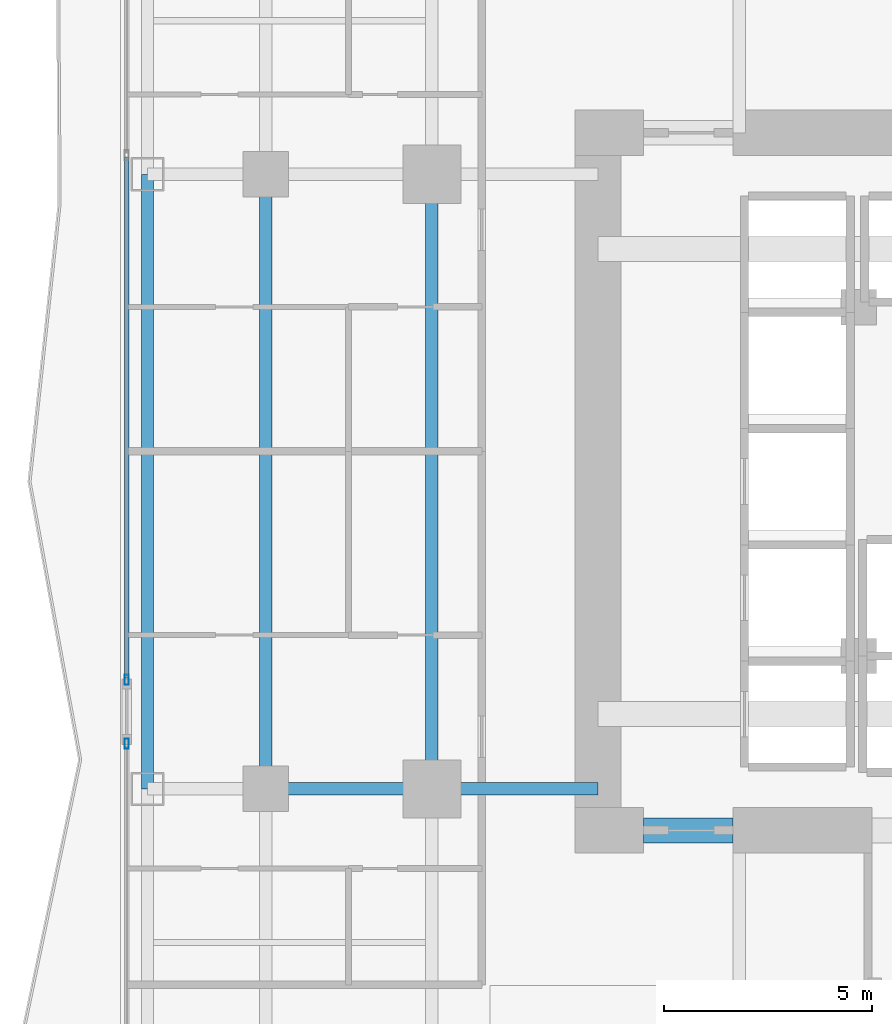
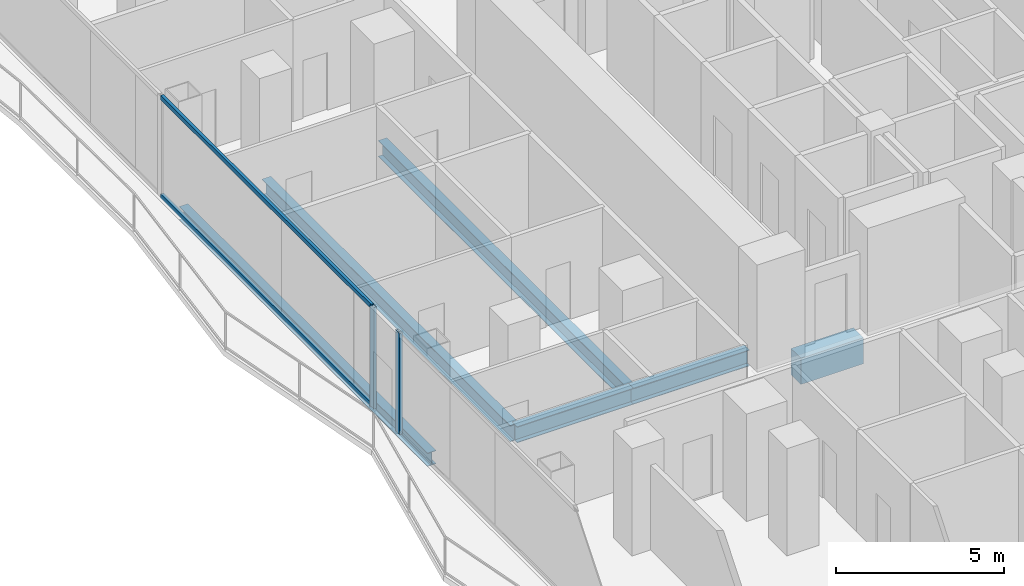
# One storey, part 6 of 28: 6 beams, 4 members, 2 elements without a shape of their own.
"""IFC4 building model written with IfcOpenShell, lengths in metres."""

from ifc_helpers import new_model, si_unit, direction, frame, origin, origin_2d, place, context, subcontext, project, spatial, rectangle, hollow_rectangle, i_section, extrude, material, layer, layer_set, material_profile, profile_set, type_object, element, aggregate, save


model = new_model("IFC4")

# Units and contexts
model_context = context("Model", 3, precision=1e-05, world=origin(), true_north=direction((0.0, 1.0)))
body_context = subcontext(model_context, "Body", "Model", "MODEL_VIEW")
ifc_project = project(units=[si_unit("LENGTHUNIT", "METRE"), si_unit("AREAUNIT", "SQUARE_METRE"), si_unit("VOLUMEUNIT", "CUBIC_METRE"), si_unit("PLANEANGLEUNIT", "RADIAN"), si_unit("MASSUNIT", "GRAM", prefix="KILO")], contexts=[model_context])

# Site, building, storey
site_placement = place(None, origin())
site = spatial("IfcSite", under=ifc_project, at=site_placement, CompositionType="ELEMENT")
building_placement = place(site_placement, origin())
building = spatial("IfcBuilding", under=site, at=building_placement, Name="Khorvyn Point Tower", CompositionType="ELEMENT")
storey_placement = place(building_placement, frame((0.0, 0.0, 34.5)))
storey = spatial("IfcBuildingStorey", under=building, at=storey_placement, Name="L09", CompositionType="ELEMENT", Elevation=34.5)

# Curtain wall, member
ifc_material_1 = material(Name="Anodised aluminium 6063-T6 and laminated Low-E glass", Category="aluminium")
ifc_layer = layer(ifc_material_1, 0.18994140625)
ifc_layer_set = layer_set([ifc_layer], Name="Stick-Built Finned Residential Curtain Wall CW-SYS-02")
curtain_wall_type = type_object("IfcCurtainWallType", Name="Stick-Built Finned Residential Curtain Wall CW-SYS-02", PredefinedType="NOTDEFINED", material=ifc_layer_set)
curtain_wall_1_placement = place(storey_placement, origin())
curtain_wall_1 = element("IfcCurtainWall", 1, at=curtain_wall_1_placement, inside=storey, type_object=curtain_wall_type, Name="Curtain Wall", PredefinedType="NOTDEFINED")
ifc_material_2 = material(Name="Anodised aluminium 6063-T6", Category="aluminium")
ifc_material_profile_1 = material_profile(ifc_material_2, hollow_rectangle(XDim=0.10009765625, YDim=0.239990234375, WallThickness=0.0048828125, at=origin_2d()))
ifc_profile_set_1 = profile_set([ifc_material_profile_1], Name="Anodised aluminium 6063-T6 ALU-MUL-100x240")
member_type_1 = type_object("IfcMemberType", Name="Anodised Aluminium 6063-T6 Mullion ALU-MUL-100x240", PredefinedType="MULLION", material=ifc_profile_set_1)
member_1_placement = place(storey_placement, frame((-22.14990234375, -6.31396484375, 0.0), z_axis=(0.0, 0.0, 1.0), x_axis=(-1.0, 0.0, 0.0)))
member_1 = element("IfcMember", 2, at=member_1_placement, type_object=member_type_1, Name="Transom", PredefinedType="MULLION", context=body_context, shape_type="SweptSolid", body=[
    extrude(hollow_rectangle(XDim=0.10009765625, YDim=0.239990234375, WallThickness=0.0048828125, at=origin_2d()), origin(), (0.0, 0.0, 1.0), 3.679931640625),
])
aggregate(curtain_wall_1, [member_1])

# Curtain wall, members
curtain_wall_2_placement = place(storey_placement, origin())
curtain_wall_2 = element("IfcCurtainWall", 3, at=curtain_wall_2_placement, inside=storey, type_object=curtain_wall_type, Name="Curtain Wall", PredefinedType="NOTDEFINED")
member_2_placement = place(storey_placement, frame((-22.14990234375, -4.77392578125, 0.0), z_axis=(0.0, 0.0, 1.0), x_axis=(-1.0, 0.0, 0.0)))
member_2 = element("IfcMember", 4, at=member_2_placement, type_object=member_type_1, Name="Transom", PredefinedType="MULLION", context=body_context, shape_type="SweptSolid", body=[
    extrude(hollow_rectangle(XDim=0.10009765625, YDim=0.239990234375, WallThickness=0.0048828125, at=origin_2d()), origin(), (0.0, 0.0, 1.0), 3.679931640625),
])
ifc_material_profile_2 = material_profile(ifc_material_2, hollow_rectangle(XDim=0.10009765625, YDim=0.159912109375, WallThickness=0.00439453125, at=origin_2d()))
ifc_profile_set_2 = profile_set([ifc_material_profile_2], Name="Anodised aluminium 6063-T6 ALU-TRN-100x160")
member_type_2 = type_object("IfcMemberType", Name="Anodised Aluminium 6063-T6 Transom ALU-TRN-100x160", PredefinedType="USERDEFINED", material=ifc_profile_set_2)
member_3_placement = place(storey_placement, frame((-22.14990234375, -4.72412109375, 0.050048828125), z_axis=(0.0, 1.0, 0.0), x_axis=(-1.0, 0.0, 0.0)))
member_3 = element("IfcMember", 5, at=member_3_placement, type_object=member_type_2, Name="Transom", ObjectType="TRANSOM", PredefinedType="USERDEFINED", context=body_context, shape_type="SweptSolid", body=[
    extrude(hollow_rectangle(XDim=0.10009765625, YDim=0.159912109375, WallThickness=0.00439453125, at=origin_2d()), origin(), (0.0, 0.0, 1.0), 12.537109375),
])
member_4_placement = place(storey_placement, frame((-22.14990234375, -4.72412109375, 3.6298828125), z_axis=(0.0, 1.0, 0.0), x_axis=(-1.0, 0.0, 0.0)))
member_4 = element("IfcMember", 6, at=member_4_placement, type_object=member_type_2, Name="Transom", ObjectType="TRANSOM", PredefinedType="USERDEFINED", context=body_context, shape_type="SweptSolid", body=[
    extrude(hollow_rectangle(XDim=0.10009765625, YDim=0.159912109375, WallThickness=0.00439453125, at=origin_2d()), origin(), (0.0, 0.0, 1.0), 12.537109375),
])
aggregate(curtain_wall_2, [member_2, member_3, member_4])

# Beams
ifc_material_3 = material(Name="Concrete C50/60", Category="concrete")
ifc_material_profile_3 = material_profile(ifc_material_3, rectangle(XDim=0.60009765625, YDim=0.949951171875, at=origin_2d()))
ifc_profile_set_3 = profile_set([ifc_material_profile_3], Name="Concrete C50/60 RC600x950")
beam_type_1 = type_object("IfcBeamType", Name="Concrete C50/60 Beam RC600x950", PredefinedType="BEAM", material=ifc_profile_set_3)
beam_1_placement = place(storey_placement, frame((-9.699951171875, -8.39990234375, -0.695068359375), z_axis=(1.0, 0.0, 0.0), x_axis=(0.0, 1.0, 0.0)))
element("IfcBeam", 7, at=beam_1_placement, inside=storey, type_object=beam_type_1, Name="L09 Core Southwest Portal Coupling Beam", PredefinedType="BEAM", context=body_context, shape_type="SweptSolid", body=[
    extrude(rectangle(XDim=0.60009765625, YDim=0.949951171875, at=origin_2d()), origin(), (0.0, 0.0, 1.0), 2.14990234375),
])
ifc_material_4 = material(Name="Steel S355", Category="steel")
ifc_material_profile_4 = material_profile(ifc_material_4, i_section(OverallWidth=0.300048828125, OverallDepth=0.587890625, WebThickness=0.011962890625, FlangeThickness=0.02001953125, at=origin_2d()))
ifc_profile_set_4 = profile_set([ifc_material_profile_4], Name="Steel S355 H588x300x12x20")
beam_type_2 = type_object("IfcBeamType", Name="Steel S355 Beam H588x300x12x20", PredefinedType="BEAM", material=ifc_profile_set_4)
for number, where, z_axis, x_axis, name in (
    (8, (-18.800048828125, -7.39990234375, -0.513916015625), (1.0, 0.0, 0.0), (0.0, 1.0, 0.0), "Beam"),
    (9, (-14.800048828125, -7.39990234375, -0.513916015625), (1.0, 0.0, 0.0), (0.0, 1.0, 0.0), "Beam"),
):
    element("IfcBeam", number, at=place(storey_placement, frame(where, z_axis=z_axis, x_axis=x_axis)), inside=storey, type_object=beam_type_2, Name=name, PredefinedType="BEAM", context=body_context, shape_type="SweptSolid", body=[
        extrude(i_section(OverallWidth=0.300048828125, OverallDepth=0.587890625, WebThickness=0.011962890625, FlangeThickness=0.02001953125, at=origin_2d()), origin(), (0.0, 0.0, 1.0), 4.0),
    ])
for number, where, z_axis, x_axis, name in (
    (10, (-14.800048828125, -7.39990234375, -0.513916015625), (0.0, 1.0, 0.0), (-1.0, 0.0, 0.0), "Beam"),
    (11, (-18.800048828125, -7.39990234375, -0.513916015625), (0.0, 1.0, 0.0), (-1.0, 0.0, 0.0), "Beam"),
):
    element("IfcBeam", number, at=place(storey_placement, frame(where, z_axis=z_axis, x_axis=x_axis)), inside=storey, type_object=beam_type_2, Name=name, PredefinedType="BEAM", context=body_context, shape_type="SweptSolid", body=[
        extrude(i_section(OverallWidth=0.300048828125, OverallDepth=0.587890625, WebThickness=0.011962890625, FlangeThickness=0.02001953125, at=origin_2d()), origin(), (0.0, 0.0, 1.0), 14.7998046875),
    ])
ifc_material_profile_5 = material_profile(ifc_material_4, i_section(OverallWidth=0.300048828125, OverallDepth=0.488037109375, WebThickness=0.010986328125, FlangeThickness=0.01806640625, at=origin_2d()))
ifc_profile_set_5 = profile_set([ifc_material_profile_5], Name="Steel S355 H488x300x11x18")
beam_type_3 = type_object("IfcBeamType", Name="Steel S355 Spandrel H488x300x11x18", PredefinedType="SPANDREL", material=ifc_profile_set_5)
beam_2_placement = place(storey_placement, frame((-21.64990234375, -7.39990234375, -0.464111328125), z_axis=(0.0, 1.0, 0.0), x_axis=(-1.0, 0.0, 0.0)))
element("IfcBeam", 12, at=beam_2_placement, inside=storey, type_object=beam_type_3, Name="Beam", PredefinedType="SPANDREL", context=body_context, shape_type="SweptSolid", body=[
    extrude(i_section(OverallWidth=0.300048828125, OverallDepth=0.488037109375, WebThickness=0.010986328125, FlangeThickness=0.01806640625, at=origin_2d()), origin(), (0.0, 0.0, 1.0), 14.7998046875),
])

save(model, "model.ifc")
